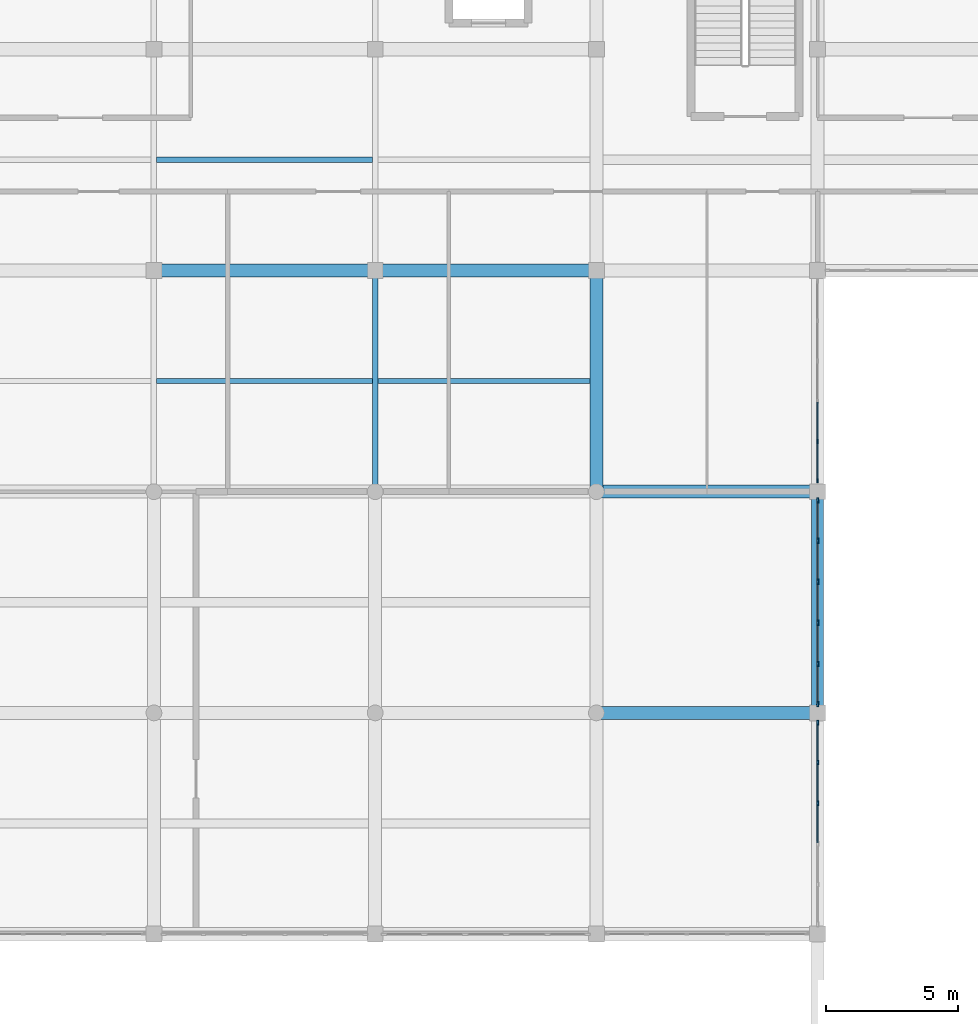
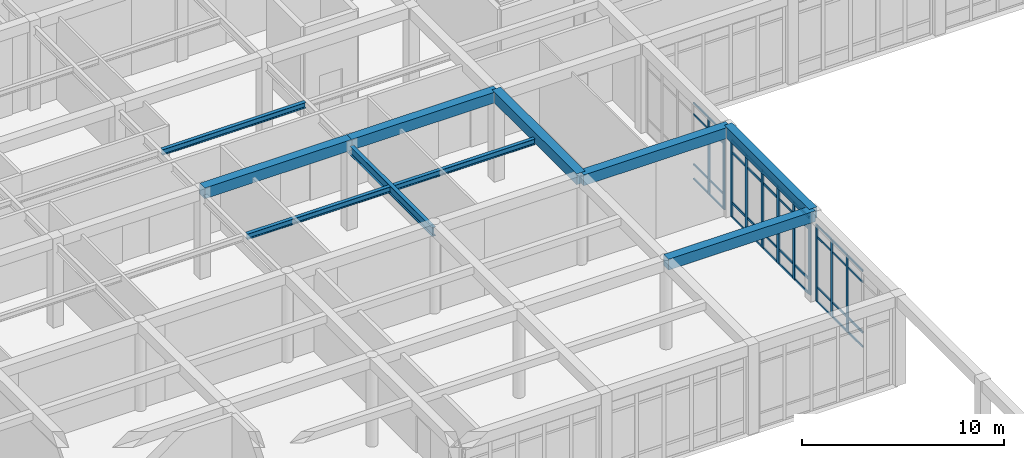
# One storey, part 24 of 89: 51 members, 10 beams, 3 elements without a shape of their own.
"""IFC4 building model written with IfcOpenShell, lengths in metres."""

from ifc_helpers import new_model, si_unit, direction, frame, origin, origin_2d, place, context, subcontext, project, spatial, rectangle, i_section, extrude, material, material_profile, profile_set, type_object, element, aggregate, save


model = new_model("IFC4")

# Units and contexts
model_context = context("Model", 3, precision=1e-05, world=origin(), true_north=direction((0.0, 1.0)))
body_context = subcontext(model_context, "Body", "Model", "MODEL_VIEW")
ifc_project = project(units=[si_unit("LENGTHUNIT", "METRE"), si_unit("AREAUNIT", "SQUARE_METRE"), si_unit("VOLUMEUNIT", "CUBIC_METRE"), si_unit("PLANEANGLEUNIT", "RADIAN"), si_unit("MASSUNIT", "GRAM", prefix="KILO")], contexts=[model_context])

# Site, building, storey
site_placement = place(None, origin())
site = spatial("IfcSite", under=ifc_project, at=site_placement, CompositionType="ELEMENT")
building_placement = place(site_placement, origin())
building = spatial("IfcBuilding", under=site, at=building_placement, Name="Varncliffe General Hospital", CompositionType="ELEMENT")
storey_placement = place(building_placement, frame((0.0, 0.0, 10.800048828125)))
storey = spatial("IfcBuildingStorey", under=building, at=storey_placement, Name="L02", CompositionType="ELEMENT", Elevation=10.800048828125)

# Beams
ifc_material_1 = material(Name="Concrete C35/45 (CSA A23.1 35 MPa)", Category="concrete")
ifc_material_profile_1 = material_profile(ifc_material_1, rectangle(XDim=0.5, YDim=0.64990234375, at=origin_2d()), Name="RC 500x650")
ifc_profile_set_1 = profile_set([ifc_material_profile_1], Name="Concrete C35/45 (CSA A23.1 35 MPa)")
beam_type_1 = type_object("IfcBeamType", Name="Beam B29 (Int RC 500x650)", PredefinedType="BEAM", material=ifc_profile_set_1)
for number, where, z_axis, x_axis, name in (
    (1, (109.199951171875, 66.0, 5.074951171875), (1.0, 0.0, 0.0), (0.0, 1.0, 0.0), "L02 Primary Beam B29-76"),
    (2, (109.199951171875, 74.39990234375, 5.074951171875), (1.0, 0.0, 0.0), (0.0, 1.0, 0.0), "L02 Primary Beam B29-89"),
    (3, (92.39990234375, 82.800048828125, 5.074951171875), (1.0, 0.0, 0.0), (0.0, 1.0, 0.0), "L02 Primary Beam B29-104"),
):
    element("IfcBeam", number, at=place(storey_placement, frame(where, z_axis=z_axis, x_axis=x_axis)), inside=storey, type_object=beam_type_1, Name=name, PredefinedType="BEAM", context=body_context, shape_type="SweptSolid", body=[
        extrude(rectangle(XDim=0.5, YDim=0.64990234375, at=origin_2d()), origin(), (0.0, 0.0, 1.0), 8.400146484375),
    ])
beam_1_placement = place(storey_placement, frame((100.800048828125, 82.800048828125, 5.074951171875), z_axis=(1.0, 0.0, 0.0), x_axis=(0.0, 1.0, 0.0)))
element("IfcBeam", 4, at=beam_1_placement, inside=storey, type_object=beam_type_1, Name="L02 Primary Beam B29-105", PredefinedType="BEAM", context=body_context, shape_type="SweptSolid", body=[
    extrude(rectangle(XDim=0.5, YDim=0.64990234375, at=origin_2d()), origin(), (0.0, 0.0, 1.0), 8.39990234375),
])
beam_2_placement = place(storey_placement, frame((109.199951171875, 74.39990234375, 5.074951171875), z_axis=(0.0, 1.0, 0.0), x_axis=(-1.0, 0.0, 0.0)))
element("IfcBeam", 5, at=beam_2_placement, inside=storey, type_object=beam_type_1, Name="L02 Primary Beam B29-376", PredefinedType="BEAM", context=body_context, shape_type="SweptSolid", body=[
    extrude(rectangle(XDim=0.5, YDim=0.64990234375, at=origin_2d()), origin(), (0.0, 0.0, 1.0), 8.400146484375),
])
ifc_material_2 = material(Name="Steel S355 (CSA G40.21 350W)", Category="steel")
ifc_material_profile_2 = material_profile(ifc_material_2, i_section(OverallWidth=0.2109375, OverallDepth=0.5390625, WebThickness=0.01171875, FlangeThickness=0.018798828125, FilletRadius=0.013916015625, at=origin_2d()), Name="W530x109")
ifc_profile_set_2 = profile_set([ifc_material_profile_2], Name="Steel S355 (CSA G40.21 350W)")
beam_type_2 = type_object("IfcBeamType", Name="Beam B56 (Int W530x109)", PredefinedType="BEAM", material=ifc_profile_set_2)
beam_3_placement = place(storey_placement, frame((100.800048828125, 74.39990234375, 4.7705078125), z_axis=(0.0, 1.0, 0.0), x_axis=(-1.0, 0.0, 0.0)))
element("IfcBeam", 6, at=beam_3_placement, inside=storey, type_object=beam_type_2, Name="L02 Primary Beam B56-367", PredefinedType="BEAM", context=body_context, shape_type="SweptSolid", body=[
    extrude(i_section(OverallWidth=0.2109375, OverallDepth=0.5390625, WebThickness=0.01171875, FlangeThickness=0.018798828125, FilletRadius=0.013916015625, at=origin_2d()), origin(), (0.0, 0.0, 1.0), 8.400146484375),
])

# Curtain wall, members
ifc_material_3 = material(Name="Triple low-E argon insulated vision glazing", Category="glass")
curtain_wall_type_1 = type_object("IfcCurtainWallType", Name="Unitised Glazed Curtain Wall CW70 (7724x4640)", PredefinedType="USERDEFINED", material=ifc_material_3)
curtain_wall_1_placement = place(storey_placement, origin())
curtain_wall_1 = element("IfcCurtainWall", 7, at=curtain_wall_1_placement, inside=storey, type_object=curtain_wall_type_1, Name="L02 Glazed Curtain Wall CW70-133", ObjectType="GLAZED CURTAIN WALL", PredefinedType="USERDEFINED")
ifc_material_4 = material(Name="Dark bronze thermally broken aluminium framing", Category="aluminium")
ifc_material_profile_3 = material_profile(ifc_material_4, rectangle(XDim=0.074951171875, YDim=0.179931640625, at=origin_2d()), Name="ALU 75x180")
ifc_profile_set_3 = profile_set([ifc_material_profile_3], Name="Dark bronze thermally broken aluminium framing")
member_type_1 = type_object("IfcMemberType", Name="Curtain Wall Mullion CM44 (ALU 75x180)", PredefinedType="MULLION", material=ifc_profile_set_3)
member_1_placement = place(storey_placement, frame((117.60009765625, 65.62451171875, 0.0), z_axis=(0.0, 0.0, 1.0), x_axis=(1.0, 0.0, 0.0)))
member_1 = element("IfcMember", 8, at=member_1_placement, type_object=member_type_1, Name="CW70 mullion 1", PredefinedType="MULLION", context=body_context, shape_type="SweptSolid", body=[
    extrude(rectangle(XDim=0.074951171875, YDim=0.179931640625, at=origin_2d()), origin(), (0.0, 0.0, 1.0), 4.639892578125),
])
member_2_placement = place(storey_placement, frame((117.60009765625, 64.1171875, 0.0), z_axis=(0.0, 0.0, 1.0), x_axis=(1.0, 0.0, 0.0)))
member_2 = element("IfcMember", 9, at=member_2_placement, type_object=member_type_1, Name="CW70 mullion 2", PredefinedType="MULLION", context=body_context, shape_type="SweptSolid", body=[
    extrude(rectangle(XDim=0.074951171875, YDim=0.179931640625, at=origin_2d()), origin(), (0.0, 0.0, 1.0), 4.639892578125),
])
member_3_placement = place(storey_placement, frame((117.60009765625, 62.572509765625, 0.0), z_axis=(0.0, 0.0, 1.0), x_axis=(1.0, 0.0, 0.0)))
member_3 = element("IfcMember", 10, at=member_3_placement, type_object=member_type_1, Name="CW70 mullion 3", PredefinedType="MULLION", context=body_context, shape_type="SweptSolid", body=[
    extrude(rectangle(XDim=0.074951171875, YDim=0.179931640625, at=origin_2d()), origin(), (0.0, 0.0, 1.0), 4.639892578125),
])

curtain_wall_type_2 = type_object("IfcCurtainWallType", Name="Unitised Glazed Curtain Wall CW27 (7644x4640)", PredefinedType="USERDEFINED", material=ifc_material_3)
curtain_wall_2_placement = place(storey_placement, origin())
curtain_wall_2 = element("IfcCurtainWall", 11, at=curtain_wall_2_placement, inside=storey, type_object=curtain_wall_type_2, Name="L02 Glazed Curtain Wall CW27-131", ObjectType="GLAZED CURTAIN WALL", PredefinedType="USERDEFINED")
ifc_material_profile_4 = material_profile(ifc_material_4, rectangle(XDim=0.06494140625, YDim=0.159912109375, at=origin_2d()), Name="ALU 65x160")
ifc_profile_set_4 = profile_set([ifc_material_profile_4], Name="Dark bronze thermally broken aluminium framing")
member_type_2 = type_object("IfcMemberType", Name="Curtain Wall Mullion CM65 (ALU 65x160)", PredefinedType="MULLION", material=ifc_profile_set_4)
member_4_placement = place(storey_placement, frame((117.60009765625, 76.306884765625, 0.0), z_axis=(0.0, 0.0, 1.0), x_axis=(1.0, 0.0, 0.0)))
member_4 = element("IfcMember", 12, at=member_4_placement, type_object=member_type_2, Name="CW27 mullion 5", PredefinedType="MULLION", context=body_context, shape_type="SweptSolid", body=[
    extrude(rectangle(XDim=0.06494140625, YDim=0.159912109375, at=origin_2d()), origin(), (0.0, 0.0, 1.0), 4.639892578125),
])
member_5_placement = place(storey_placement, frame((117.60009765625, 74.810546875, 0.0), z_axis=(0.0, 0.0, 1.0), x_axis=(1.0, 0.0, 0.0)))
member_5 = element("IfcMember", 13, at=member_5_placement, type_object=member_type_2, Name="CW27 mullion 6", PredefinedType="MULLION", context=body_context, shape_type="SweptSolid", body=[
    extrude(rectangle(XDim=0.06494140625, YDim=0.159912109375, at=origin_2d()), origin(), (0.0, 0.0, 1.0), 4.639892578125),
])

curtain_wall_type_3 = type_object("IfcCurtainWallType", Name="Unitised Glazed Curtain Wall CW85 (7804x4640)", PredefinedType="USERDEFINED", material=ifc_material_3)
curtain_wall_3_placement = place(storey_placement, origin())
curtain_wall_3 = element("IfcCurtainWall", 14, at=curtain_wall_3_placement, inside=storey, type_object=curtain_wall_type_3, Name="L02 Glazed Curtain Wall CW85-132", ObjectType="GLAZED CURTAIN WALL", PredefinedType="USERDEFINED")
ifc_material_profile_5 = material_profile(ifc_material_4, rectangle(XDim=0.074951171875, YDim=0.219970703125, at=origin_2d()), Name="ALU 75x220")
ifc_profile_set_5 = profile_set([ifc_material_profile_5], Name="Dark bronze thermally broken aluminium framing")
member_type_3 = type_object("IfcMemberType", Name="Curtain Wall Mullion CM74 (ALU 75x220)", PredefinedType="MULLION", material=ifc_profile_set_5)
member_6_placement = place(storey_placement, frame((117.60009765625, 74.064453125, 0.0), z_axis=(0.0, 0.0, 1.0), x_axis=(1.0, 0.0, 0.0)))
member_6 = element("IfcMember", 15, at=member_6_placement, type_object=member_type_3, Name="CW85 mullion 1", PredefinedType="MULLION", context=body_context, shape_type="SweptSolid", body=[
    extrude(rectangle(XDim=0.074951171875, YDim=0.219970703125, at=origin_2d()), origin(), (0.0, 0.0, 1.0), 4.639892578125),
])
member_7_placement = place(storey_placement, frame((117.60009765625, 72.541259765625, 0.0), z_axis=(0.0, 0.0, 1.0), x_axis=(1.0, 0.0, 0.0)))
member_7 = element("IfcMember", 16, at=member_7_placement, type_object=member_type_3, Name="CW85 mullion 2", PredefinedType="MULLION", context=body_context, shape_type="SweptSolid", body=[
    extrude(rectangle(XDim=0.074951171875, YDim=0.219970703125, at=origin_2d()), origin(), (0.0, 0.0, 1.0), 4.639892578125),
])
member_8_placement = place(storey_placement, frame((117.60009765625, 70.98046875, 0.0), z_axis=(0.0, 0.0, 1.0), x_axis=(1.0, 0.0, 0.0)))
member_8 = element("IfcMember", 17, at=member_8_placement, type_object=member_type_3, Name="CW85 mullion 3", PredefinedType="MULLION", context=body_context, shape_type="SweptSolid", body=[
    extrude(rectangle(XDim=0.074951171875, YDim=0.219970703125, at=origin_2d()), origin(), (0.0, 0.0, 1.0), 4.639892578125),
])
member_9_placement = place(storey_placement, frame((117.60009765625, 69.419677734375, 0.0), z_axis=(0.0, 0.0, 1.0), x_axis=(1.0, 0.0, 0.0)))
member_9 = element("IfcMember", 18, at=member_9_placement, type_object=member_type_3, Name="CW85 mullion 4", PredefinedType="MULLION", context=body_context, shape_type="SweptSolid", body=[
    extrude(rectangle(XDim=0.074951171875, YDim=0.219970703125, at=origin_2d()), origin(), (0.0, 0.0, 1.0), 4.639892578125),
])
member_10_placement = place(storey_placement, frame((117.60009765625, 67.85888671875, 0.0), z_axis=(0.0, 0.0, 1.0), x_axis=(1.0, 0.0, 0.0)))
member_10 = element("IfcMember", 19, at=member_10_placement, type_object=member_type_3, Name="CW85 mullion 5", PredefinedType="MULLION", context=body_context, shape_type="SweptSolid", body=[
    extrude(rectangle(XDim=0.074951171875, YDim=0.219970703125, at=origin_2d()), origin(), (0.0, 0.0, 1.0), 4.639892578125),
])
member_11_placement = place(storey_placement, frame((117.60009765625, 66.33544921875, 0.0), z_axis=(0.0, 0.0, 1.0), x_axis=(1.0, 0.0, 0.0)))
member_11 = element("IfcMember", 20, at=member_11_placement, type_object=member_type_3, Name="CW85 mullion 6", PredefinedType="MULLION", context=body_context, shape_type="SweptSolid", body=[
    extrude(rectangle(XDim=0.074951171875, YDim=0.219970703125, at=origin_2d()), origin(), (0.0, 0.0, 1.0), 4.639892578125),
])

# Member
ifc_material_profile_6 = material_profile(ifc_material_4, rectangle(XDim=0.06005859375, YDim=0.1201171875, at=origin_2d()), Name="ALU 60x120")
ifc_profile_set_6 = profile_set([ifc_material_profile_6], Name="Dark bronze thermally broken aluminium framing")
member_type_4 = type_object("IfcMemberType", Name="Curtain Wall Transom CT14 (ALU 60x120)", PredefinedType="USERDEFINED", material=ifc_profile_set_6)
member_12_placement = place(storey_placement, frame((117.60009765625, 65.5869140625, 0.030029296875), z_axis=(0.0, -1.0, 0.0), x_axis=(1.0, 0.0, 0.0)))
member_12 = element("IfcMember", 21, at=member_12_placement, type_object=member_type_4, Name="CW70 transom 1.1", ObjectType="TRANSOM", PredefinedType="USERDEFINED", context=body_context, shape_type="SweptSolid", body=[
    extrude(rectangle(XDim=0.06005859375, YDim=0.1201171875, at=origin_2d()), origin(), (0.0, 0.0, 1.0), 1.43212890625),
])

member_13_placement = place(storey_placement, frame((117.60009765625, 65.5869140625, 0.89990234375), z_axis=(0.0, -1.0, 0.0), x_axis=(1.0, 0.0, 0.0)))
member_13 = element("IfcMember", 22, at=member_13_placement, type_object=member_type_4, Name="CW70 transom 1.2", ObjectType="TRANSOM", PredefinedType="USERDEFINED", context=body_context, shape_type="SweptSolid", body=[
    extrude(rectangle(XDim=0.06005859375, YDim=0.1201171875, at=origin_2d()), origin(), (0.0, 0.0, 1.0), 1.43212890625),
])

member_14_placement = place(storey_placement, frame((117.60009765625, 65.5869140625, 3.93994140625), z_axis=(0.0, -1.0, 0.0), x_axis=(1.0, 0.0, 0.0)))
member_14 = element("IfcMember", 23, at=member_14_placement, type_object=member_type_4, Name="CW70 transom 1.3", ObjectType="TRANSOM", PredefinedType="USERDEFINED", context=body_context, shape_type="SweptSolid", body=[
    extrude(rectangle(XDim=0.06005859375, YDim=0.1201171875, at=origin_2d()), origin(), (0.0, 0.0, 1.0), 1.43212890625),
])

member_15_placement = place(storey_placement, frame((117.60009765625, 65.5869140625, 4.60986328125), z_axis=(0.0, -1.0, 0.0), x_axis=(1.0, 0.0, 0.0)))
member_15 = element("IfcMember", 24, at=member_15_placement, type_object=member_type_4, Name="CW70 transom 1.4", ObjectType="TRANSOM", PredefinedType="USERDEFINED", context=body_context, shape_type="SweptSolid", body=[
    extrude(rectangle(XDim=0.06005859375, YDim=0.1201171875, at=origin_2d()), origin(), (0.0, 0.0, 1.0), 1.43212890625),
])

member_16_placement = place(storey_placement, frame((117.60009765625, 64.07958984375, 0.030029296875), z_axis=(0.0, -1.0, 0.0), x_axis=(1.0, 0.0, 0.0)))
member_16 = element("IfcMember", 25, at=member_16_placement, type_object=member_type_4, Name="CW70 transom 2.1", ObjectType="TRANSOM", PredefinedType="USERDEFINED", context=body_context, shape_type="SweptSolid", body=[
    extrude(rectangle(XDim=0.06005859375, YDim=0.1201171875, at=origin_2d()), origin(), (0.0, 0.0, 1.0), 1.4697265625),
])

member_17_placement = place(storey_placement, frame((117.60009765625, 64.07958984375, 0.89990234375), z_axis=(0.0, -1.0, 0.0), x_axis=(1.0, 0.0, 0.0)))
member_17 = element("IfcMember", 26, at=member_17_placement, type_object=member_type_4, Name="CW70 transom 2.2", ObjectType="TRANSOM", PredefinedType="USERDEFINED", context=body_context, shape_type="SweptSolid", body=[
    extrude(rectangle(XDim=0.06005859375, YDim=0.1201171875, at=origin_2d()), origin(), (0.0, 0.0, 1.0), 1.4697265625),
])

member_18_placement = place(storey_placement, frame((117.60009765625, 64.07958984375, 3.93994140625), z_axis=(0.0, -1.0, 0.0), x_axis=(1.0, 0.0, 0.0)))
member_18 = element("IfcMember", 27, at=member_18_placement, type_object=member_type_4, Name="CW70 transom 2.3", ObjectType="TRANSOM", PredefinedType="USERDEFINED", context=body_context, shape_type="SweptSolid", body=[
    extrude(rectangle(XDim=0.06005859375, YDim=0.1201171875, at=origin_2d()), origin(), (0.0, 0.0, 1.0), 1.4697265625),
])

member_19_placement = place(storey_placement, frame((117.60009765625, 64.07958984375, 4.60986328125), z_axis=(0.0, -1.0, 0.0), x_axis=(1.0, 0.0, 0.0)))
member_19 = element("IfcMember", 28, at=member_19_placement, type_object=member_type_4, Name="CW70 transom 2.4", ObjectType="TRANSOM", PredefinedType="USERDEFINED", context=body_context, shape_type="SweptSolid", body=[
    extrude(rectangle(XDim=0.06005859375, YDim=0.1201171875, at=origin_2d()), origin(), (0.0, 0.0, 1.0), 1.4697265625),
])

member_20_placement = place(storey_placement, frame((117.60009765625, 62.534912109375, 0.030029296875), z_axis=(0.0, -1.0, 0.0), x_axis=(1.0, 0.0, 0.0)))
member_20 = element("IfcMember", 29, at=member_20_placement, type_object=member_type_4, Name="CW70 transom 3.1", ObjectType="TRANSOM", PredefinedType="USERDEFINED", context=body_context, shape_type="SweptSolid", body=[
    extrude(rectangle(XDim=0.06005859375, YDim=0.1201171875, at=origin_2d()), origin(), (0.0, 0.0, 1.0), 1.4697265625),
])

member_21_placement = place(storey_placement, frame((117.60009765625, 62.534912109375, 0.89990234375), z_axis=(0.0, -1.0, 0.0), x_axis=(1.0, 0.0, 0.0)))
member_21 = element("IfcMember", 30, at=member_21_placement, type_object=member_type_4, Name="CW70 transom 3.2", ObjectType="TRANSOM", PredefinedType="USERDEFINED", context=body_context, shape_type="SweptSolid", body=[
    extrude(rectangle(XDim=0.06005859375, YDim=0.1201171875, at=origin_2d()), origin(), (0.0, 0.0, 1.0), 1.4697265625),
])

member_22_placement = place(storey_placement, frame((117.60009765625, 62.534912109375, 3.93994140625), z_axis=(0.0, -1.0, 0.0), x_axis=(1.0, 0.0, 0.0)))
member_22 = element("IfcMember", 31, at=member_22_placement, type_object=member_type_4, Name="CW70 transom 3.3", ObjectType="TRANSOM", PredefinedType="USERDEFINED", context=body_context, shape_type="SweptSolid", body=[
    extrude(rectangle(XDim=0.06005859375, YDim=0.1201171875, at=origin_2d()), origin(), (0.0, 0.0, 1.0), 1.4697265625),
])

member_23_placement = place(storey_placement, frame((117.60009765625, 62.534912109375, 4.60986328125), z_axis=(0.0, -1.0, 0.0), x_axis=(1.0, 0.0, 0.0)))
member_23 = element("IfcMember", 32, at=member_23_placement, type_object=member_type_4, Name="CW70 transom 3.4", ObjectType="TRANSOM", PredefinedType="USERDEFINED", context=body_context, shape_type="SweptSolid", body=[
    extrude(rectangle(XDim=0.06005859375, YDim=0.1201171875, at=origin_2d()), origin(), (0.0, 0.0, 1.0), 1.4697265625),
])

aggregate(curtain_wall_1, [member_1, member_2, member_3, member_12, member_13, member_14, member_15, member_16, member_17, member_18, member_19, member_20, member_21, member_22, member_23])

ifc_material_profile_7 = material_profile(ifc_material_4, rectangle(XDim=0.06005859375, YDim=0.10009765625, at=origin_2d()), Name="ALU 60x100")
ifc_profile_set_7 = profile_set([ifc_material_profile_7], Name="Dark bronze thermally broken aluminium framing")
member_type_5 = type_object("IfcMemberType", Name="Curtain Wall Transom CT18 (ALU 60x100)", PredefinedType="USERDEFINED", material=ifc_profile_set_7)
member_24_placement = place(storey_placement, frame((117.60009765625, 77.802978515625, 0.030029296875), z_axis=(0.0, -1.0, 0.0), x_axis=(1.0, 0.0, 0.0)))
member_24 = element("IfcMember", 33, at=member_24_placement, type_object=member_type_5, Name="CW27 transom 4.1", ObjectType="TRANSOM", PredefinedType="USERDEFINED", context=body_context, shape_type="SweptSolid", body=[
    extrude(rectangle(XDim=0.06005859375, YDim=0.10009765625, at=origin_2d()), origin(), (0.0, 0.0, 1.0), 1.463623046875),
])

member_25_placement = place(storey_placement, frame((117.60009765625, 77.802978515625, 0.89990234375), z_axis=(0.0, -1.0, 0.0), x_axis=(1.0, 0.0, 0.0)))
member_25 = element("IfcMember", 34, at=member_25_placement, type_object=member_type_5, Name="CW27 transom 4.2", ObjectType="TRANSOM", PredefinedType="USERDEFINED", context=body_context, shape_type="SweptSolid", body=[
    extrude(rectangle(XDim=0.06005859375, YDim=0.10009765625, at=origin_2d()), origin(), (0.0, 0.0, 1.0), 1.463623046875),
])

member_26_placement = place(storey_placement, frame((117.60009765625, 77.802978515625, 3.93994140625), z_axis=(0.0, -1.0, 0.0), x_axis=(1.0, 0.0, 0.0)))
member_26 = element("IfcMember", 35, at=member_26_placement, type_object=member_type_5, Name="CW27 transom 4.3", ObjectType="TRANSOM", PredefinedType="USERDEFINED", context=body_context, shape_type="SweptSolid", body=[
    extrude(rectangle(XDim=0.06005859375, YDim=0.10009765625, at=origin_2d()), origin(), (0.0, 0.0, 1.0), 1.463623046875),
])

member_27_placement = place(storey_placement, frame((117.60009765625, 77.802978515625, 4.60986328125), z_axis=(0.0, -1.0, 0.0), x_axis=(1.0, 0.0, 0.0)))
member_27 = element("IfcMember", 36, at=member_27_placement, type_object=member_type_5, Name="CW27 transom 4.4", ObjectType="TRANSOM", PredefinedType="USERDEFINED", context=body_context, shape_type="SweptSolid", body=[
    extrude(rectangle(XDim=0.06005859375, YDim=0.10009765625, at=origin_2d()), origin(), (0.0, 0.0, 1.0), 1.463623046875),
])

member_28_placement = place(storey_placement, frame((117.60009765625, 76.2744140625, 0.030029296875), z_axis=(0.0, -1.0, 0.0), x_axis=(1.0, 0.0, 0.0)))
member_28 = element("IfcMember", 37, at=member_28_placement, type_object=member_type_5, Name="CW27 transom 5.1", ObjectType="TRANSOM", PredefinedType="USERDEFINED", context=body_context, shape_type="SweptSolid", body=[
    extrude(rectangle(XDim=0.06005859375, YDim=0.10009765625, at=origin_2d()), origin(), (0.0, 0.0, 1.0), 1.431396484375),
])

member_29_placement = place(storey_placement, frame((117.60009765625, 76.2744140625, 0.89990234375), z_axis=(0.0, -1.0, 0.0), x_axis=(1.0, 0.0, 0.0)))
member_29 = element("IfcMember", 38, at=member_29_placement, type_object=member_type_5, Name="CW27 transom 5.2", ObjectType="TRANSOM", PredefinedType="USERDEFINED", context=body_context, shape_type="SweptSolid", body=[
    extrude(rectangle(XDim=0.06005859375, YDim=0.10009765625, at=origin_2d()), origin(), (0.0, 0.0, 1.0), 1.431396484375),
])

member_30_placement = place(storey_placement, frame((117.60009765625, 76.2744140625, 3.93994140625), z_axis=(0.0, -1.0, 0.0), x_axis=(1.0, 0.0, 0.0)))
member_30 = element("IfcMember", 39, at=member_30_placement, type_object=member_type_5, Name="CW27 transom 5.3", ObjectType="TRANSOM", PredefinedType="USERDEFINED", context=body_context, shape_type="SweptSolid", body=[
    extrude(rectangle(XDim=0.06005859375, YDim=0.10009765625, at=origin_2d()), origin(), (0.0, 0.0, 1.0), 1.431396484375),
])

member_31_placement = place(storey_placement, frame((117.60009765625, 76.2744140625, 4.60986328125), z_axis=(0.0, -1.0, 0.0), x_axis=(1.0, 0.0, 0.0)))
member_31 = element("IfcMember", 40, at=member_31_placement, type_object=member_type_5, Name="CW27 transom 5.4", ObjectType="TRANSOM", PredefinedType="USERDEFINED", context=body_context, shape_type="SweptSolid", body=[
    extrude(rectangle(XDim=0.06005859375, YDim=0.10009765625, at=origin_2d()), origin(), (0.0, 0.0, 1.0), 1.431396484375),
])

aggregate(curtain_wall_2, [member_4, member_5, member_24, member_25, member_26, member_27, member_28, member_29, member_30, member_31])

ifc_material_profile_8 = material_profile(ifc_material_4, rectangle(XDim=0.06494140625, YDim=0.139892578125, at=origin_2d()), Name="ALU 65x140")
ifc_profile_set_8 = profile_set([ifc_material_profile_8], Name="Dark bronze thermally broken aluminium framing")
member_type_6 = type_object("IfcMemberType", Name="Curtain Wall Transom CT69 (ALU 65x140)", PredefinedType="USERDEFINED", material=ifc_profile_set_8)
member_32_placement = place(storey_placement, frame((117.60009765625, 74.027099609375, 0.032470703125), z_axis=(0.0, -1.0, 0.0), x_axis=(1.0, 0.0, 0.0)))
member_32 = element("IfcMember", 41, at=member_32_placement, type_object=member_type_6, Name="CW85 transom 1.1", ObjectType="TRANSOM", PredefinedType="USERDEFINED", context=body_context, shape_type="SweptSolid", body=[
    extrude(rectangle(XDim=0.06494140625, YDim=0.139892578125, at=origin_2d()), origin(), (0.0, 0.0, 1.0), 1.448486328125),
])

member_33_placement = place(storey_placement, frame((117.60009765625, 74.027099609375, 0.89990234375), z_axis=(0.0, -1.0, 0.0), x_axis=(1.0, 0.0, 0.0)))
member_33 = element("IfcMember", 42, at=member_33_placement, type_object=member_type_6, Name="CW85 transom 1.2", ObjectType="TRANSOM", PredefinedType="USERDEFINED", context=body_context, shape_type="SweptSolid", body=[
    extrude(rectangle(XDim=0.06494140625, YDim=0.139892578125, at=origin_2d()), origin(), (0.0, 0.0, 1.0), 1.448486328125),
])

member_34_placement = place(storey_placement, frame((117.60009765625, 74.027099609375, 3.93994140625), z_axis=(0.0, -1.0, 0.0), x_axis=(1.0, 0.0, 0.0)))
member_34 = element("IfcMember", 43, at=member_34_placement, type_object=member_type_6, Name="CW85 transom 1.3", ObjectType="TRANSOM", PredefinedType="USERDEFINED", context=body_context, shape_type="SweptSolid", body=[
    extrude(rectangle(XDim=0.06494140625, YDim=0.139892578125, at=origin_2d()), origin(), (0.0, 0.0, 1.0), 1.448486328125),
])

member_35_placement = place(storey_placement, frame((117.60009765625, 74.027099609375, 4.607421875), z_axis=(0.0, -1.0, 0.0), x_axis=(1.0, 0.0, 0.0)))
member_35 = element("IfcMember", 44, at=member_35_placement, type_object=member_type_6, Name="CW85 transom 1.4", ObjectType="TRANSOM", PredefinedType="USERDEFINED", context=body_context, shape_type="SweptSolid", body=[
    extrude(rectangle(XDim=0.06494140625, YDim=0.139892578125, at=origin_2d()), origin(), (0.0, 0.0, 1.0), 1.448486328125),
])

member_36_placement = place(storey_placement, frame((117.60009765625, 72.503662109375, 0.032470703125), z_axis=(0.0, -1.0, 0.0), x_axis=(1.0, 0.0, 0.0)))
member_36 = element("IfcMember", 45, at=member_36_placement, type_object=member_type_6, Name="CW85 transom 2.1", ObjectType="TRANSOM", PredefinedType="USERDEFINED", context=body_context, shape_type="SweptSolid", body=[
    extrude(rectangle(XDim=0.06494140625, YDim=0.139892578125, at=origin_2d()), origin(), (0.0, 0.0, 1.0), 1.48583984375),
])

member_37_placement = place(storey_placement, frame((117.60009765625, 72.503662109375, 0.89990234375), z_axis=(0.0, -1.0, 0.0), x_axis=(1.0, 0.0, 0.0)))
member_37 = element("IfcMember", 46, at=member_37_placement, type_object=member_type_6, Name="CW85 transom 2.2", ObjectType="TRANSOM", PredefinedType="USERDEFINED", context=body_context, shape_type="SweptSolid", body=[
    extrude(rectangle(XDim=0.06494140625, YDim=0.139892578125, at=origin_2d()), origin(), (0.0, 0.0, 1.0), 1.48583984375),
])

member_38_placement = place(storey_placement, frame((117.60009765625, 72.503662109375, 3.93994140625), z_axis=(0.0, -1.0, 0.0), x_axis=(1.0, 0.0, 0.0)))
member_38 = element("IfcMember", 47, at=member_38_placement, type_object=member_type_6, Name="CW85 transom 2.3", ObjectType="TRANSOM", PredefinedType="USERDEFINED", context=body_context, shape_type="SweptSolid", body=[
    extrude(rectangle(XDim=0.06494140625, YDim=0.139892578125, at=origin_2d()), origin(), (0.0, 0.0, 1.0), 1.48583984375),
])

member_39_placement = place(storey_placement, frame((117.60009765625, 72.503662109375, 4.607421875), z_axis=(0.0, -1.0, 0.0), x_axis=(1.0, 0.0, 0.0)))
member_39 = element("IfcMember", 48, at=member_39_placement, type_object=member_type_6, Name="CW85 transom 2.4", ObjectType="TRANSOM", PredefinedType="USERDEFINED", context=body_context, shape_type="SweptSolid", body=[
    extrude(rectangle(XDim=0.06494140625, YDim=0.139892578125, at=origin_2d()), origin(), (0.0, 0.0, 1.0), 1.48583984375),
])

member_40_placement = place(storey_placement, frame((117.60009765625, 70.94287109375, 0.032470703125), z_axis=(0.0, -1.0, 0.0), x_axis=(1.0, 0.0, 0.0)))
member_40 = element("IfcMember", 49, at=member_40_placement, type_object=member_type_6, Name="CW85 transom 3.1", ObjectType="TRANSOM", PredefinedType="USERDEFINED", context=body_context, shape_type="SweptSolid", body=[
    extrude(rectangle(XDim=0.06494140625, YDim=0.139892578125, at=origin_2d()), origin(), (0.0, 0.0, 1.0), 1.48583984375),
])

member_41_placement = place(storey_placement, frame((117.60009765625, 70.94287109375, 0.89990234375), z_axis=(0.0, -1.0, 0.0), x_axis=(1.0, 0.0, 0.0)))
member_41 = element("IfcMember", 50, at=member_41_placement, type_object=member_type_6, Name="CW85 transom 3.2", ObjectType="TRANSOM", PredefinedType="USERDEFINED", context=body_context, shape_type="SweptSolid", body=[
    extrude(rectangle(XDim=0.06494140625, YDim=0.139892578125, at=origin_2d()), origin(), (0.0, 0.0, 1.0), 1.48583984375),
])

member_42_placement = place(storey_placement, frame((117.60009765625, 70.94287109375, 3.93994140625), z_axis=(0.0, -1.0, 0.0), x_axis=(1.0, 0.0, 0.0)))
member_42 = element("IfcMember", 51, at=member_42_placement, type_object=member_type_6, Name="CW85 transom 3.3", ObjectType="TRANSOM", PredefinedType="USERDEFINED", context=body_context, shape_type="SweptSolid", body=[
    extrude(rectangle(XDim=0.06494140625, YDim=0.139892578125, at=origin_2d()), origin(), (0.0, 0.0, 1.0), 1.48583984375),
])

member_43_placement = place(storey_placement, frame((117.60009765625, 70.94287109375, 4.607421875), z_axis=(0.0, -1.0, 0.0), x_axis=(1.0, 0.0, 0.0)))
member_43 = element("IfcMember", 52, at=member_43_placement, type_object=member_type_6, Name="CW85 transom 3.4", ObjectType="TRANSOM", PredefinedType="USERDEFINED", context=body_context, shape_type="SweptSolid", body=[
    extrude(rectangle(XDim=0.06494140625, YDim=0.139892578125, at=origin_2d()), origin(), (0.0, 0.0, 1.0), 1.48583984375),
])

member_44_placement = place(storey_placement, frame((117.60009765625, 69.382080078125, 0.032470703125), z_axis=(0.0, -1.0, 0.0), x_axis=(1.0, 0.0, 0.0)))
member_44 = element("IfcMember", 53, at=member_44_placement, type_object=member_type_6, Name="CW85 transom 4.1", ObjectType="TRANSOM", PredefinedType="USERDEFINED", context=body_context, shape_type="SweptSolid", body=[
    extrude(rectangle(XDim=0.06494140625, YDim=0.139892578125, at=origin_2d()), origin(), (0.0, 0.0, 1.0), 1.48583984375),
])

member_45_placement = place(storey_placement, frame((117.60009765625, 69.382080078125, 0.89990234375), z_axis=(0.0, -1.0, 0.0), x_axis=(1.0, 0.0, 0.0)))
member_45 = element("IfcMember", 54, at=member_45_placement, type_object=member_type_6, Name="CW85 transom 4.2", ObjectType="TRANSOM", PredefinedType="USERDEFINED", context=body_context, shape_type="SweptSolid", body=[
    extrude(rectangle(XDim=0.06494140625, YDim=0.139892578125, at=origin_2d()), origin(), (0.0, 0.0, 1.0), 1.48583984375),
])

member_46_placement = place(storey_placement, frame((117.60009765625, 69.382080078125, 3.93994140625), z_axis=(0.0, -1.0, 0.0), x_axis=(1.0, 0.0, 0.0)))
member_46 = element("IfcMember", 55, at=member_46_placement, type_object=member_type_6, Name="CW85 transom 4.3", ObjectType="TRANSOM", PredefinedType="USERDEFINED", context=body_context, shape_type="SweptSolid", body=[
    extrude(rectangle(XDim=0.06494140625, YDim=0.139892578125, at=origin_2d()), origin(), (0.0, 0.0, 1.0), 1.48583984375),
])

member_47_placement = place(storey_placement, frame((117.60009765625, 69.382080078125, 4.607421875), z_axis=(0.0, -1.0, 0.0), x_axis=(1.0, 0.0, 0.0)))
member_47 = element("IfcMember", 56, at=member_47_placement, type_object=member_type_6, Name="CW85 transom 4.4", ObjectType="TRANSOM", PredefinedType="USERDEFINED", context=body_context, shape_type="SweptSolid", body=[
    extrude(rectangle(XDim=0.06494140625, YDim=0.139892578125, at=origin_2d()), origin(), (0.0, 0.0, 1.0), 1.48583984375),
])

member_48_placement = place(storey_placement, frame((117.60009765625, 67.8212890625, 0.032470703125), z_axis=(0.0, -1.0, 0.0), x_axis=(1.0, 0.0, 0.0)))
member_48 = element("IfcMember", 57, at=member_48_placement, type_object=member_type_6, Name="CW85 transom 5.1", ObjectType="TRANSOM", PredefinedType="USERDEFINED", context=body_context, shape_type="SweptSolid", body=[
    extrude(rectangle(XDim=0.06494140625, YDim=0.139892578125, at=origin_2d()), origin(), (0.0, 0.0, 1.0), 1.4482421875),
])

member_49_placement = place(storey_placement, frame((117.60009765625, 67.8212890625, 0.89990234375), z_axis=(0.0, -1.0, 0.0), x_axis=(1.0, 0.0, 0.0)))
member_49 = element("IfcMember", 58, at=member_49_placement, type_object=member_type_6, Name="CW85 transom 5.2", ObjectType="TRANSOM", PredefinedType="USERDEFINED", context=body_context, shape_type="SweptSolid", body=[
    extrude(rectangle(XDim=0.06494140625, YDim=0.139892578125, at=origin_2d()), origin(), (0.0, 0.0, 1.0), 1.4482421875),
])

member_50_placement = place(storey_placement, frame((117.60009765625, 67.8212890625, 3.93994140625), z_axis=(0.0, -1.0, 0.0), x_axis=(1.0, 0.0, 0.0)))
member_50 = element("IfcMember", 59, at=member_50_placement, type_object=member_type_6, Name="CW85 transom 5.3", ObjectType="TRANSOM", PredefinedType="USERDEFINED", context=body_context, shape_type="SweptSolid", body=[
    extrude(rectangle(XDim=0.06494140625, YDim=0.139892578125, at=origin_2d()), origin(), (0.0, 0.0, 1.0), 1.4482421875),
])

member_51_placement = place(storey_placement, frame((117.60009765625, 67.8212890625, 4.607421875), z_axis=(0.0, -1.0, 0.0), x_axis=(1.0, 0.0, 0.0)))
member_51 = element("IfcMember", 60, at=member_51_placement, type_object=member_type_6, Name="CW85 transom 5.4", ObjectType="TRANSOM", PredefinedType="USERDEFINED", context=body_context, shape_type="SweptSolid", body=[
    extrude(rectangle(XDim=0.06494140625, YDim=0.139892578125, at=origin_2d()), origin(), (0.0, 0.0, 1.0), 1.4482421875),
])

aggregate(curtain_wall_3, [member_6, member_7, member_8, member_9, member_10, member_11, member_32, member_33, member_34, member_35, member_36, member_37, member_38, member_39, member_40, member_41, member_42, member_43, member_44, member_45, member_46, member_47, member_48, member_49, member_50, member_51])

# Beams
ifc_material_profile_9 = material_profile(ifc_material_2, i_section(OverallWidth=0.202880859375, OverallDepth=0.346923828125, WebThickness=0.0078125, FlangeThickness=0.013427734375, FilletRadius=0.010986328125, at=origin_2d()), Name="W360x64")
ifc_profile_set_9 = profile_set([ifc_material_profile_9], Name="Steel S355 (CSA G40.21 350W)")
beam_type_3 = type_object("IfcBeamType", Name="Joist J14 (Int W360x64)", PredefinedType="JOIST", material=ifc_profile_set_9)
for number, where, z_axis, x_axis, name in (
    (61, (92.50341796875, 78.60009765625, 4.866455078125), (1.0, 0.0, 0.0), (0.0, 1.0, 0.0), "L02 Secondary Floor Rib J14-36"),
    (62, (92.50341796875, 87.0, 4.866455078125), (1.0, 0.0, 0.0), (0.0, 1.0, 0.0), "L02 Secondary Floor Rib J14-37"),
):
    element("IfcBeam", number, at=place(storey_placement, frame(where, z_axis=z_axis, x_axis=x_axis)), inside=storey, type_object=beam_type_3, Name=name, PredefinedType="JOIST", context=body_context, shape_type="SweptSolid", body=[
        extrude(i_section(OverallWidth=0.202880859375, OverallDepth=0.346923828125, WebThickness=0.0078125, FlangeThickness=0.013427734375, FilletRadius=0.010986328125, at=origin_2d()), origin(), (0.0, 0.0, 1.0), 8.193115234375),
    ])
beam_4_placement = place(storey_placement, frame((100.903564453125, 78.60009765625, 4.866455078125), z_axis=(1.0, 0.0, 0.0), x_axis=(0.0, 1.0, 0.0)))
element("IfcBeam", 63, at=beam_4_placement, inside=storey, type_object=beam_type_3, Name="L02 Secondary Floor Rib J14-42", PredefinedType="JOIST", context=body_context, shape_type="SweptSolid", body=[
    extrude(i_section(OverallWidth=0.202880859375, OverallDepth=0.346923828125, WebThickness=0.0078125, FlangeThickness=0.013427734375, FilletRadius=0.010986328125, at=origin_2d()), origin(), (0.0, 0.0, 1.0), 8.04833984375),
])
ifc_material_profile_10 = material_profile(ifc_material_1, rectangle(XDim=0.449951171875, YDim=0.64990234375, at=origin_2d()), Name="RC 450x650")
ifc_profile_set_10 = profile_set([ifc_material_profile_10], Name="Concrete C35/45 (CSA A23.1 35 MPa)")
beam_type_4 = type_object("IfcBeamType", Name="Spandrel SP38 (Ext RC 450x650B)", PredefinedType="SPANDREL", material=ifc_profile_set_10)
beam_5_placement = place(storey_placement, frame((117.60009765625, 66.0, 5.074951171875), z_axis=(0.0, 1.0, 0.0), x_axis=(-1.0, 0.0, 0.0)))
element("IfcBeam", 64, at=beam_5_placement, inside=storey, type_object=beam_type_4, Name="L02 Spandrel Beam SP38-393", PredefinedType="SPANDREL", context=body_context, shape_type="SweptSolid", body=[
    extrude(rectangle(XDim=0.449951171875, YDim=0.64990234375, at=origin_2d()), origin(), (0.0, 0.0, 1.0), 8.39990234375),
])

save(model, "model.ifc")
